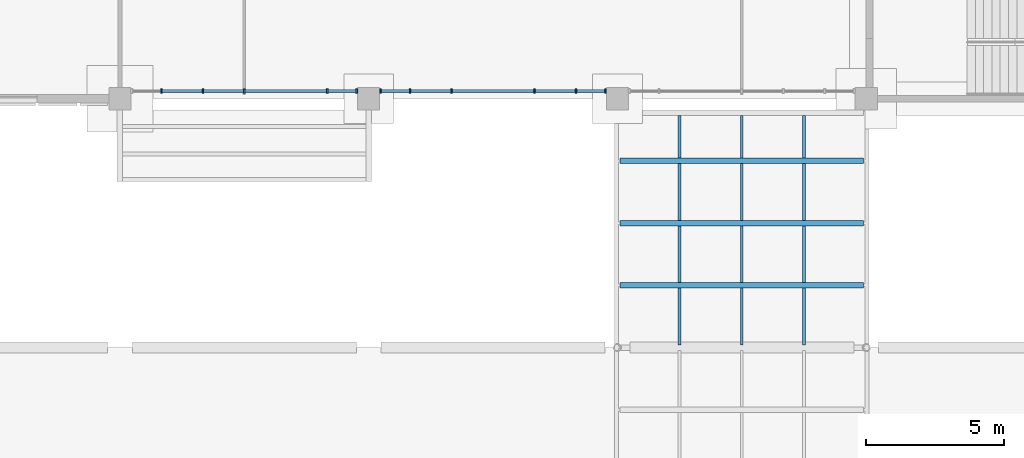
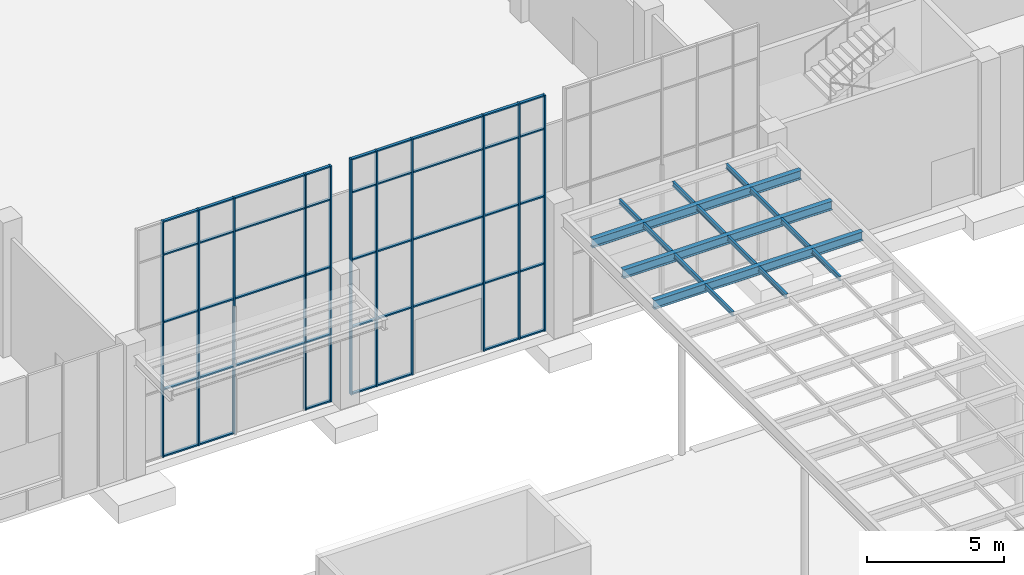
# One storey, part 32 of 86: 66 members, 3 beams, 2 elements without a shape of their own.
"""IFC4 building model written with IfcOpenShell, lengths in metres."""

from ifc_helpers import new_model, si_unit, direction, frame, origin, origin_2d, place, context, subcontext, project, spatial, rectangle, i_section, extrude, material, layer, layer_set, material_profile, profile_set, type_object, element, aggregate, save


model = new_model("IFC4")

# Units and contexts
model_context = context("Model", 3, precision=1e-05, world=origin(), true_north=direction((0.0, 1.0)))
body_context = subcontext(model_context, "Body", "Model", "MODEL_VIEW")
ifc_project = project(units=[si_unit("LENGTHUNIT", "METRE"), si_unit("AREAUNIT", "SQUARE_METRE"), si_unit("VOLUMEUNIT", "CUBIC_METRE"), si_unit("PLANEANGLEUNIT", "RADIAN"), si_unit("MASSUNIT", "GRAM", prefix="KILO")], contexts=[model_context])

# Site, building, storey
site_placement = place(None, origin())
site = spatial("IfcSite", under=ifc_project, at=site_placement, CompositionType="ELEMENT")
building_placement = place(site_placement, origin())
building = spatial("IfcBuilding", under=site, at=building_placement, Name="Guidao Yard Department Store", CompositionType="ELEMENT")
storey_placement = place(building_placement, origin())
storey = spatial("IfcBuildingStorey", under=building, at=storey_placement, Name="L00", CompositionType="ELEMENT", Elevation=0.0)

# Curtain wall, members
ifc_material_1 = material(Name="Stainless steel and glass", Category="steel")
ifc_layer = layer(ifc_material_1, 0.159912109375)
ifc_layer_set = layer_set([ifc_layer], Name="Food hall front curtain wall CW3 1500 module")
curtain_wall_type = type_object("IfcCurtainWallType", Name="Food hall front curtain wall CW3 1500 module", PredefinedType="NOTDEFINED", material=ifc_layer_set)
curtain_wall_1_placement = place(storey_placement, origin())
curtain_wall_1 = element("IfcCurtainWall", 1, at=curtain_wall_1_placement, inside=storey, type_object=curtain_wall_type, Name="Food hall front curtain wall", PredefinedType="NOTDEFINED")
ifc_material_2 = material(Name="Stainless steel 316", Category="steel")
ifc_material_profile_1 = material_profile(ifc_material_2, rectangle(XDim=0.06005859375, YDim=0.159912109375, at=origin_2d()), Name="Mullion M2 60 x 160 stainless pressure plate")
ifc_profile_set_1 = profile_set([ifc_material_profile_1], Name="Stainless steel 316")
member_type_1 = type_object("IfcMemberType", Name="Mullion M2 60 x 160 stainless pressure plate", PredefinedType="MULLION", material=ifc_profile_set_1)
member_1_placement = place(storey_placement, frame((127.5, 54.280029296875, 0.0), z_axis=(0.0, 0.0, 1.0), x_axis=(-1.0, 0.0, 0.0)))
member_1 = element("IfcMember", 2, at=member_1_placement, type_object=member_type_1, Name="CW-FH-L00-01 mullion 2", PredefinedType="MULLION", context=body_context, shape_type="SweptSolid", body=[
    extrude(rectangle(XDim=0.06005859375, YDim=0.159912109375, at=origin_2d()), origin(), (0.0, 0.0, 1.0), 10.5),
])
member_2_placement = place(storey_placement, frame((129.0, 54.280029296875, 0.0), z_axis=(0.0, 0.0, 1.0), x_axis=(-1.0, 0.0, 0.0)))
member_2 = element("IfcMember", 3, at=member_2_placement, type_object=member_type_1, Name="CW-FH-L00-01 mullion 3", PredefinedType="MULLION", context=body_context, shape_type="SweptSolid", body=[
    extrude(rectangle(XDim=0.06005859375, YDim=0.159912109375, at=origin_2d()), origin(), (0.0, 0.0, 1.0), 10.5),
])
member_3_placement = place(storey_placement, frame((130.5, 54.280029296875, 0.0), z_axis=(0.0, 0.0, 1.0), x_axis=(-1.0, 0.0, 0.0)))
member_3 = element("IfcMember", 4, at=member_3_placement, type_object=member_type_1, Name="CW-FH-L00-01 mullion 4", PredefinedType="MULLION", context=body_context, shape_type="SweptSolid", body=[
    extrude(rectangle(XDim=0.06005859375, YDim=0.159912109375, at=origin_2d()), origin(), (0.0, 0.0, 1.0), 10.5),
])
member_4_placement = place(storey_placement, frame((133.5, 54.280029296875, 0.0), z_axis=(0.0, 0.0, 1.0), x_axis=(-1.0, 0.0, 0.0)))
member_4 = element("IfcMember", 5, at=member_4_placement, type_object=member_type_1, Name="CW-FH-L00-01 mullion 5", PredefinedType="MULLION", context=body_context, shape_type="SweptSolid", body=[
    extrude(rectangle(XDim=0.06005859375, YDim=0.159912109375, at=origin_2d()), origin(), (0.0, 0.0, 1.0), 10.5),
])
member_5_placement = place(storey_placement, frame((134.570068359375, 54.280029296875, 0.0), z_axis=(0.0, 0.0, 1.0), x_axis=(-1.0, 0.0, 0.0)))
member_5 = element("IfcMember", 6, at=member_5_placement, type_object=member_type_1, Name="CW-FH-L00-01 mullion 6", PredefinedType="MULLION", context=body_context, shape_type="SweptSolid", body=[
    extrude(rectangle(XDim=0.06005859375, YDim=0.159912109375, at=origin_2d()), origin(), (0.0, 0.0, 1.0), 10.5),
])

curtain_wall_2_placement = place(storey_placement, origin())
curtain_wall_2 = element("IfcCurtainWall", 7, at=curtain_wall_2_placement, inside=storey, type_object=curtain_wall_type, Name="Food hall front curtain wall", PredefinedType="NOTDEFINED")
member_6_placement = place(storey_placement, frame((135.429931640625, 54.280029296875, 0.0), z_axis=(0.0, 0.0, 1.0), x_axis=(-1.0, 0.0, 0.0)))
member_6 = element("IfcMember", 8, at=member_6_placement, type_object=member_type_1, Name="CW-FH-L00-02 mullion 1", PredefinedType="MULLION", context=body_context, shape_type="SweptSolid", body=[
    extrude(rectangle(XDim=0.06005859375, YDim=0.159912109375, at=origin_2d()), origin(), (0.0, 0.0, 1.0), 10.5),
])
member_7_placement = place(storey_placement, frame((136.5, 54.280029296875, 0.0), z_axis=(0.0, 0.0, 1.0), x_axis=(-1.0, 0.0, 0.0)))
member_7 = element("IfcMember", 9, at=member_7_placement, type_object=member_type_1, Name="CW-FH-L00-02 mullion 2", PredefinedType="MULLION", context=body_context, shape_type="SweptSolid", body=[
    extrude(rectangle(XDim=0.06005859375, YDim=0.159912109375, at=origin_2d()), origin(), (0.0, 0.0, 1.0), 10.5),
])
member_8_placement = place(storey_placement, frame((138.0, 54.280029296875, 0.0), z_axis=(0.0, 0.0, 1.0), x_axis=(-1.0, 0.0, 0.0)))
member_8 = element("IfcMember", 10, at=member_8_placement, type_object=member_type_1, Name="CW-FH-L00-02 mullion 3", PredefinedType="MULLION", context=body_context, shape_type="SweptSolid", body=[
    extrude(rectangle(XDim=0.06005859375, YDim=0.159912109375, at=origin_2d()), origin(), (0.0, 0.0, 1.0), 10.5),
])
member_9_placement = place(storey_placement, frame((141.0, 54.280029296875, 0.0), z_axis=(0.0, 0.0, 1.0), x_axis=(-1.0, 0.0, 0.0)))
member_9 = element("IfcMember", 11, at=member_9_placement, type_object=member_type_1, Name="CW-FH-L00-02 mullion 4", PredefinedType="MULLION", context=body_context, shape_type="SweptSolid", body=[
    extrude(rectangle(XDim=0.06005859375, YDim=0.159912109375, at=origin_2d()), origin(), (0.0, 0.0, 1.0), 10.5),
])
member_10_placement = place(storey_placement, frame((142.5, 54.280029296875, 0.0), z_axis=(0.0, 0.0, 1.0), x_axis=(-1.0, 0.0, 0.0)))
member_10 = element("IfcMember", 12, at=member_10_placement, type_object=member_type_1, Name="CW-FH-L00-02 mullion 5", PredefinedType="MULLION", context=body_context, shape_type="SweptSolid", body=[
    extrude(rectangle(XDim=0.06005859375, YDim=0.159912109375, at=origin_2d()), origin(), (0.0, 0.0, 1.0), 10.5),
])
member_11_placement = place(storey_placement, frame((143.570068359375, 54.280029296875, 0.0), z_axis=(0.0, 0.0, 1.0), x_axis=(-1.0, 0.0, 0.0)))
member_11 = element("IfcMember", 13, at=member_11_placement, type_object=member_type_1, Name="CW-FH-L00-02 mullion 6", PredefinedType="MULLION", context=body_context, shape_type="SweptSolid", body=[
    extrude(rectangle(XDim=0.06005859375, YDim=0.159912109375, at=origin_2d()), origin(), (0.0, 0.0, 1.0), 10.5),
])

# Member
ifc_material_3 = material(Name="Stainless steel 316", Category="steel")
ifc_material_profile_2 = material_profile(ifc_material_3, rectangle(XDim=0.1201171875, YDim=0.06005859375, at=origin_2d()), Name="Transom T2 60 x 120 stainless pressure plate")
ifc_profile_set_2 = profile_set([ifc_material_profile_2], Name="Stainless steel 316")
member_type_2 = type_object("IfcMemberType", Name="Transom T2 60 x 120 stainless pressure plate", PredefinedType="USERDEFINED", material=ifc_profile_set_2)
member_12_placement = place(storey_placement, frame((128.969970703125, 54.280029296875, 0.030029296875), z_axis=(-1.0, 0.0, 0.0), x_axis=(0.0, -1.0, 0.0)))
member_12 = element("IfcMember", 14, at=member_12_placement, type_object=member_type_2, Name="CW-FH-L00-01 transom 2.1", ObjectType="TRANSOM", PredefinedType="USERDEFINED", context=body_context, shape_type="SweptSolid", body=[
    extrude(rectangle(XDim=0.1201171875, YDim=0.06005859375, at=origin_2d()), origin(), (0.0, 0.0, 1.0), 1.43994140625),
])

member_13_placement = place(storey_placement, frame((128.969970703125, 54.280029296875, 3.0), z_axis=(-1.0, 0.0, 0.0), x_axis=(0.0, -1.0, 0.0)))
member_13 = element("IfcMember", 15, at=member_13_placement, type_object=member_type_2, Name="CW-FH-L00-01 transom 2.2", ObjectType="TRANSOM", PredefinedType="USERDEFINED", context=body_context, shape_type="SweptSolid", body=[
    extrude(rectangle(XDim=0.1201171875, YDim=0.06005859375, at=origin_2d()), origin(), (0.0, 0.0, 1.0), 1.43994140625),
])

member_14_placement = place(storey_placement, frame((128.969970703125, 54.280029296875, 6.0), z_axis=(-1.0, 0.0, 0.0), x_axis=(0.0, -1.0, 0.0)))
member_14 = element("IfcMember", 16, at=member_14_placement, type_object=member_type_2, Name="CW-FH-L00-01 transom 2.3", ObjectType="TRANSOM", PredefinedType="USERDEFINED", context=body_context, shape_type="SweptSolid", body=[
    extrude(rectangle(XDim=0.1201171875, YDim=0.06005859375, at=origin_2d()), origin(), (0.0, 0.0, 1.0), 1.43994140625),
])

member_15_placement = place(storey_placement, frame((128.969970703125, 54.280029296875, 9.0), z_axis=(-1.0, 0.0, 0.0), x_axis=(0.0, -1.0, 0.0)))
member_15 = element("IfcMember", 17, at=member_15_placement, type_object=member_type_2, Name="CW-FH-L00-01 transom 2.4", ObjectType="TRANSOM", PredefinedType="USERDEFINED", context=body_context, shape_type="SweptSolid", body=[
    extrude(rectangle(XDim=0.1201171875, YDim=0.06005859375, at=origin_2d()), origin(), (0.0, 0.0, 1.0), 1.43994140625),
])

member_16_placement = place(storey_placement, frame((128.969970703125, 54.280029296875, 10.469970703125), z_axis=(-1.0, 0.0, 0.0), x_axis=(0.0, -1.0, 0.0)))
member_16 = element("IfcMember", 18, at=member_16_placement, type_object=member_type_2, Name="CW-FH-L00-01 transom 2.5", ObjectType="TRANSOM", PredefinedType="USERDEFINED", context=body_context, shape_type="SweptSolid", body=[
    extrude(rectangle(XDim=0.1201171875, YDim=0.06005859375, at=origin_2d()), origin(), (0.0, 0.0, 1.0), 1.43994140625),
])

member_17_placement = place(storey_placement, frame((130.469970703125, 54.280029296875, 0.030029296875), z_axis=(-1.0, 0.0, 0.0), x_axis=(0.0, -1.0, 0.0)))
member_17 = element("IfcMember", 19, at=member_17_placement, type_object=member_type_2, Name="CW-FH-L00-01 transom 3.1", ObjectType="TRANSOM", PredefinedType="USERDEFINED", context=body_context, shape_type="SweptSolid", body=[
    extrude(rectangle(XDim=0.1201171875, YDim=0.06005859375, at=origin_2d()), origin(), (0.0, 0.0, 1.0), 1.43994140625),
])

member_18_placement = place(storey_placement, frame((130.469970703125, 54.280029296875, 3.0), z_axis=(-1.0, 0.0, 0.0), x_axis=(0.0, -1.0, 0.0)))
member_18 = element("IfcMember", 20, at=member_18_placement, type_object=member_type_2, Name="CW-FH-L00-01 transom 3.2", ObjectType="TRANSOM", PredefinedType="USERDEFINED", context=body_context, shape_type="SweptSolid", body=[
    extrude(rectangle(XDim=0.1201171875, YDim=0.06005859375, at=origin_2d()), origin(), (0.0, 0.0, 1.0), 1.43994140625),
])

member_19_placement = place(storey_placement, frame((130.469970703125, 54.280029296875, 6.0), z_axis=(-1.0, 0.0, 0.0), x_axis=(0.0, -1.0, 0.0)))
member_19 = element("IfcMember", 21, at=member_19_placement, type_object=member_type_2, Name="CW-FH-L00-01 transom 3.3", ObjectType="TRANSOM", PredefinedType="USERDEFINED", context=body_context, shape_type="SweptSolid", body=[
    extrude(rectangle(XDim=0.1201171875, YDim=0.06005859375, at=origin_2d()), origin(), (0.0, 0.0, 1.0), 1.43994140625),
])

member_20_placement = place(storey_placement, frame((130.469970703125, 54.280029296875, 9.0), z_axis=(-1.0, 0.0, 0.0), x_axis=(0.0, -1.0, 0.0)))
member_20 = element("IfcMember", 22, at=member_20_placement, type_object=member_type_2, Name="CW-FH-L00-01 transom 3.4", ObjectType="TRANSOM", PredefinedType="USERDEFINED", context=body_context, shape_type="SweptSolid", body=[
    extrude(rectangle(XDim=0.1201171875, YDim=0.06005859375, at=origin_2d()), origin(), (0.0, 0.0, 1.0), 1.43994140625),
])

member_21_placement = place(storey_placement, frame((130.469970703125, 54.280029296875, 10.469970703125), z_axis=(-1.0, 0.0, 0.0), x_axis=(0.0, -1.0, 0.0)))
member_21 = element("IfcMember", 23, at=member_21_placement, type_object=member_type_2, Name="CW-FH-L00-01 transom 3.5", ObjectType="TRANSOM", PredefinedType="USERDEFINED", context=body_context, shape_type="SweptSolid", body=[
    extrude(rectangle(XDim=0.1201171875, YDim=0.06005859375, at=origin_2d()), origin(), (0.0, 0.0, 1.0), 1.43994140625),
])

member_22_placement = place(storey_placement, frame((133.469970703125, 54.280029296875, 3.0), z_axis=(-1.0, 0.0, 0.0), x_axis=(0.0, -1.0, 0.0)))
member_22 = element("IfcMember", 24, at=member_22_placement, type_object=member_type_2, Name="CW-FH-L00-01 transom 4.2", ObjectType="TRANSOM", PredefinedType="USERDEFINED", context=body_context, shape_type="SweptSolid", body=[
    extrude(rectangle(XDim=0.1201171875, YDim=0.06005859375, at=origin_2d()), origin(), (0.0, 0.0, 1.0), 2.93994140625),
])

member_23_placement = place(storey_placement, frame((133.469970703125, 54.280029296875, 6.0), z_axis=(-1.0, 0.0, 0.0), x_axis=(0.0, -1.0, 0.0)))
member_23 = element("IfcMember", 25, at=member_23_placement, type_object=member_type_2, Name="CW-FH-L00-01 transom 4.3", ObjectType="TRANSOM", PredefinedType="USERDEFINED", context=body_context, shape_type="SweptSolid", body=[
    extrude(rectangle(XDim=0.1201171875, YDim=0.06005859375, at=origin_2d()), origin(), (0.0, 0.0, 1.0), 2.93994140625),
])

member_24_placement = place(storey_placement, frame((133.469970703125, 54.280029296875, 9.0), z_axis=(-1.0, 0.0, 0.0), x_axis=(0.0, -1.0, 0.0)))
member_24 = element("IfcMember", 26, at=member_24_placement, type_object=member_type_2, Name="CW-FH-L00-01 transom 4.4", ObjectType="TRANSOM", PredefinedType="USERDEFINED", context=body_context, shape_type="SweptSolid", body=[
    extrude(rectangle(XDim=0.1201171875, YDim=0.06005859375, at=origin_2d()), origin(), (0.0, 0.0, 1.0), 2.93994140625),
])

member_25_placement = place(storey_placement, frame((133.469970703125, 54.280029296875, 10.469970703125), z_axis=(-1.0, 0.0, 0.0), x_axis=(0.0, -1.0, 0.0)))
member_25 = element("IfcMember", 27, at=member_25_placement, type_object=member_type_2, Name="CW-FH-L00-01 transom 4.5", ObjectType="TRANSOM", PredefinedType="USERDEFINED", context=body_context, shape_type="SweptSolid", body=[
    extrude(rectangle(XDim=0.1201171875, YDim=0.06005859375, at=origin_2d()), origin(), (0.0, 0.0, 1.0), 2.93994140625),
])

member_26_placement = place(storey_placement, frame((134.5400390625, 54.280029296875, 0.030029296875), z_axis=(-1.0, 0.0, 0.0), x_axis=(0.0, -1.0, 0.0)))
member_26 = element("IfcMember", 28, at=member_26_placement, type_object=member_type_2, Name="CW-FH-L00-01 transom 5.1", ObjectType="TRANSOM", PredefinedType="USERDEFINED", context=body_context, shape_type="SweptSolid", body=[
    extrude(rectangle(XDim=0.1201171875, YDim=0.06005859375, at=origin_2d()), origin(), (0.0, 0.0, 1.0), 1.010009765625),
])

member_27_placement = place(storey_placement, frame((134.5400390625, 54.280029296875, 3.0), z_axis=(-1.0, 0.0, 0.0), x_axis=(0.0, -1.0, 0.0)))
member_27 = element("IfcMember", 29, at=member_27_placement, type_object=member_type_2, Name="CW-FH-L00-01 transom 5.2", ObjectType="TRANSOM", PredefinedType="USERDEFINED", context=body_context, shape_type="SweptSolid", body=[
    extrude(rectangle(XDim=0.1201171875, YDim=0.06005859375, at=origin_2d()), origin(), (0.0, 0.0, 1.0), 1.010009765625),
])

member_28_placement = place(storey_placement, frame((134.5400390625, 54.280029296875, 6.0), z_axis=(-1.0, 0.0, 0.0), x_axis=(0.0, -1.0, 0.0)))
member_28 = element("IfcMember", 30, at=member_28_placement, type_object=member_type_2, Name="CW-FH-L00-01 transom 5.3", ObjectType="TRANSOM", PredefinedType="USERDEFINED", context=body_context, shape_type="SweptSolid", body=[
    extrude(rectangle(XDim=0.1201171875, YDim=0.06005859375, at=origin_2d()), origin(), (0.0, 0.0, 1.0), 1.010009765625),
])

member_29_placement = place(storey_placement, frame((134.5400390625, 54.280029296875, 9.0), z_axis=(-1.0, 0.0, 0.0), x_axis=(0.0, -1.0, 0.0)))
member_29 = element("IfcMember", 31, at=member_29_placement, type_object=member_type_2, Name="CW-FH-L00-01 transom 5.4", ObjectType="TRANSOM", PredefinedType="USERDEFINED", context=body_context, shape_type="SweptSolid", body=[
    extrude(rectangle(XDim=0.1201171875, YDim=0.06005859375, at=origin_2d()), origin(), (0.0, 0.0, 1.0), 1.010009765625),
])

member_30_placement = place(storey_placement, frame((134.5400390625, 54.280029296875, 10.469970703125), z_axis=(-1.0, 0.0, 0.0), x_axis=(0.0, -1.0, 0.0)))
member_30 = element("IfcMember", 32, at=member_30_placement, type_object=member_type_2, Name="CW-FH-L00-01 transom 5.5", ObjectType="TRANSOM", PredefinedType="USERDEFINED", context=body_context, shape_type="SweptSolid", body=[
    extrude(rectangle(XDim=0.1201171875, YDim=0.06005859375, at=origin_2d()), origin(), (0.0, 0.0, 1.0), 1.010009765625),
])

aggregate(curtain_wall_1, [member_1, member_2, member_3, member_4, member_5, member_12, member_13, member_14, member_15, member_16, member_17, member_18, member_19, member_20, member_21, member_22, member_23, member_24, member_25, member_26, member_27, member_28, member_29, member_30])

member_31_placement = place(storey_placement, frame((136.469970703125, 54.280029296875, 0.030029296875), z_axis=(-1.0, 0.0, 0.0), x_axis=(0.0, -1.0, 0.0)))
member_31 = element("IfcMember", 33, at=member_31_placement, type_object=member_type_2, Name="CW-FH-L00-02 transom 1.1", ObjectType="TRANSOM", PredefinedType="USERDEFINED", context=body_context, shape_type="SweptSolid", body=[
    extrude(rectangle(XDim=0.1201171875, YDim=0.06005859375, at=origin_2d()), origin(), (0.0, 0.0, 1.0), 1.010009765625),
])

member_32_placement = place(storey_placement, frame((136.469970703125, 54.280029296875, 3.0), z_axis=(-1.0, 0.0, 0.0), x_axis=(0.0, -1.0, 0.0)))
member_32 = element("IfcMember", 34, at=member_32_placement, type_object=member_type_2, Name="CW-FH-L00-02 transom 1.2", ObjectType="TRANSOM", PredefinedType="USERDEFINED", context=body_context, shape_type="SweptSolid", body=[
    extrude(rectangle(XDim=0.1201171875, YDim=0.06005859375, at=origin_2d()), origin(), (0.0, 0.0, 1.0), 1.010009765625),
])

member_33_placement = place(storey_placement, frame((136.469970703125, 54.280029296875, 6.0), z_axis=(-1.0, 0.0, 0.0), x_axis=(0.0, -1.0, 0.0)))
member_33 = element("IfcMember", 35, at=member_33_placement, type_object=member_type_2, Name="CW-FH-L00-02 transom 1.3", ObjectType="TRANSOM", PredefinedType="USERDEFINED", context=body_context, shape_type="SweptSolid", body=[
    extrude(rectangle(XDim=0.1201171875, YDim=0.06005859375, at=origin_2d()), origin(), (0.0, 0.0, 1.0), 1.010009765625),
])

member_34_placement = place(storey_placement, frame((136.469970703125, 54.280029296875, 9.0), z_axis=(-1.0, 0.0, 0.0), x_axis=(0.0, -1.0, 0.0)))
member_34 = element("IfcMember", 36, at=member_34_placement, type_object=member_type_2, Name="CW-FH-L00-02 transom 1.4", ObjectType="TRANSOM", PredefinedType="USERDEFINED", context=body_context, shape_type="SweptSolid", body=[
    extrude(rectangle(XDim=0.1201171875, YDim=0.06005859375, at=origin_2d()), origin(), (0.0, 0.0, 1.0), 1.010009765625),
])

member_35_placement = place(storey_placement, frame((136.469970703125, 54.280029296875, 10.469970703125), z_axis=(-1.0, 0.0, 0.0), x_axis=(0.0, -1.0, 0.0)))
member_35 = element("IfcMember", 37, at=member_35_placement, type_object=member_type_2, Name="CW-FH-L00-02 transom 1.5", ObjectType="TRANSOM", PredefinedType="USERDEFINED", context=body_context, shape_type="SweptSolid", body=[
    extrude(rectangle(XDim=0.1201171875, YDim=0.06005859375, at=origin_2d()), origin(), (0.0, 0.0, 1.0), 1.010009765625),
])

member_36_placement = place(storey_placement, frame((137.969970703125, 54.280029296875, 0.030029296875), z_axis=(-1.0, 0.0, 0.0), x_axis=(0.0, -1.0, 0.0)))
member_36 = element("IfcMember", 38, at=member_36_placement, type_object=member_type_2, Name="CW-FH-L00-02 transom 2.1", ObjectType="TRANSOM", PredefinedType="USERDEFINED", context=body_context, shape_type="SweptSolid", body=[
    extrude(rectangle(XDim=0.1201171875, YDim=0.06005859375, at=origin_2d()), origin(), (0.0, 0.0, 1.0), 1.43994140625),
])

member_37_placement = place(storey_placement, frame((137.969970703125, 54.280029296875, 3.0), z_axis=(-1.0, 0.0, 0.0), x_axis=(0.0, -1.0, 0.0)))
member_37 = element("IfcMember", 39, at=member_37_placement, type_object=member_type_2, Name="CW-FH-L00-02 transom 2.2", ObjectType="TRANSOM", PredefinedType="USERDEFINED", context=body_context, shape_type="SweptSolid", body=[
    extrude(rectangle(XDim=0.1201171875, YDim=0.06005859375, at=origin_2d()), origin(), (0.0, 0.0, 1.0), 1.43994140625),
])

member_38_placement = place(storey_placement, frame((137.969970703125, 54.280029296875, 6.0), z_axis=(-1.0, 0.0, 0.0), x_axis=(0.0, -1.0, 0.0)))
member_38 = element("IfcMember", 40, at=member_38_placement, type_object=member_type_2, Name="CW-FH-L00-02 transom 2.3", ObjectType="TRANSOM", PredefinedType="USERDEFINED", context=body_context, shape_type="SweptSolid", body=[
    extrude(rectangle(XDim=0.1201171875, YDim=0.06005859375, at=origin_2d()), origin(), (0.0, 0.0, 1.0), 1.43994140625),
])

member_39_placement = place(storey_placement, frame((137.969970703125, 54.280029296875, 9.0), z_axis=(-1.0, 0.0, 0.0), x_axis=(0.0, -1.0, 0.0)))
member_39 = element("IfcMember", 41, at=member_39_placement, type_object=member_type_2, Name="CW-FH-L00-02 transom 2.4", ObjectType="TRANSOM", PredefinedType="USERDEFINED", context=body_context, shape_type="SweptSolid", body=[
    extrude(rectangle(XDim=0.1201171875, YDim=0.06005859375, at=origin_2d()), origin(), (0.0, 0.0, 1.0), 1.43994140625),
])

member_40_placement = place(storey_placement, frame((137.969970703125, 54.280029296875, 10.469970703125), z_axis=(-1.0, 0.0, 0.0), x_axis=(0.0, -1.0, 0.0)))
member_40 = element("IfcMember", 42, at=member_40_placement, type_object=member_type_2, Name="CW-FH-L00-02 transom 2.5", ObjectType="TRANSOM", PredefinedType="USERDEFINED", context=body_context, shape_type="SweptSolid", body=[
    extrude(rectangle(XDim=0.1201171875, YDim=0.06005859375, at=origin_2d()), origin(), (0.0, 0.0, 1.0), 1.43994140625),
])

member_41_placement = place(storey_placement, frame((140.969970703125, 54.280029296875, 3.0), z_axis=(-1.0, 0.0, 0.0), x_axis=(0.0, -1.0, 0.0)))
member_41 = element("IfcMember", 43, at=member_41_placement, type_object=member_type_2, Name="CW-FH-L00-02 transom 3.2", ObjectType="TRANSOM", PredefinedType="USERDEFINED", context=body_context, shape_type="SweptSolid", body=[
    extrude(rectangle(XDim=0.1201171875, YDim=0.06005859375, at=origin_2d()), origin(), (0.0, 0.0, 1.0), 2.93994140625),
])

member_42_placement = place(storey_placement, frame((140.969970703125, 54.280029296875, 6.0), z_axis=(-1.0, 0.0, 0.0), x_axis=(0.0, -1.0, 0.0)))
member_42 = element("IfcMember", 44, at=member_42_placement, type_object=member_type_2, Name="CW-FH-L00-02 transom 3.3", ObjectType="TRANSOM", PredefinedType="USERDEFINED", context=body_context, shape_type="SweptSolid", body=[
    extrude(rectangle(XDim=0.1201171875, YDim=0.06005859375, at=origin_2d()), origin(), (0.0, 0.0, 1.0), 2.93994140625),
])

member_43_placement = place(storey_placement, frame((140.969970703125, 54.280029296875, 9.0), z_axis=(-1.0, 0.0, 0.0), x_axis=(0.0, -1.0, 0.0)))
member_43 = element("IfcMember", 45, at=member_43_placement, type_object=member_type_2, Name="CW-FH-L00-02 transom 3.4", ObjectType="TRANSOM", PredefinedType="USERDEFINED", context=body_context, shape_type="SweptSolid", body=[
    extrude(rectangle(XDim=0.1201171875, YDim=0.06005859375, at=origin_2d()), origin(), (0.0, 0.0, 1.0), 2.93994140625),
])

member_44_placement = place(storey_placement, frame((140.969970703125, 54.280029296875, 10.469970703125), z_axis=(-1.0, 0.0, 0.0), x_axis=(0.0, -1.0, 0.0)))
member_44 = element("IfcMember", 46, at=member_44_placement, type_object=member_type_2, Name="CW-FH-L00-02 transom 3.5", ObjectType="TRANSOM", PredefinedType="USERDEFINED", context=body_context, shape_type="SweptSolid", body=[
    extrude(rectangle(XDim=0.1201171875, YDim=0.06005859375, at=origin_2d()), origin(), (0.0, 0.0, 1.0), 2.93994140625),
])

member_45_placement = place(storey_placement, frame((142.469970703125, 54.280029296875, 0.030029296875), z_axis=(-1.0, 0.0, 0.0), x_axis=(0.0, -1.0, 0.0)))
member_45 = element("IfcMember", 47, at=member_45_placement, type_object=member_type_2, Name="CW-FH-L00-02 transom 4.1", ObjectType="TRANSOM", PredefinedType="USERDEFINED", context=body_context, shape_type="SweptSolid", body=[
    extrude(rectangle(XDim=0.1201171875, YDim=0.06005859375, at=origin_2d()), origin(), (0.0, 0.0, 1.0), 1.43994140625),
])

member_46_placement = place(storey_placement, frame((142.469970703125, 54.280029296875, 3.0), z_axis=(-1.0, 0.0, 0.0), x_axis=(0.0, -1.0, 0.0)))
member_46 = element("IfcMember", 48, at=member_46_placement, type_object=member_type_2, Name="CW-FH-L00-02 transom 4.2", ObjectType="TRANSOM", PredefinedType="USERDEFINED", context=body_context, shape_type="SweptSolid", body=[
    extrude(rectangle(XDim=0.1201171875, YDim=0.06005859375, at=origin_2d()), origin(), (0.0, 0.0, 1.0), 1.43994140625),
])

member_47_placement = place(storey_placement, frame((142.469970703125, 54.280029296875, 6.0), z_axis=(-1.0, 0.0, 0.0), x_axis=(0.0, -1.0, 0.0)))
member_47 = element("IfcMember", 49, at=member_47_placement, type_object=member_type_2, Name="CW-FH-L00-02 transom 4.3", ObjectType="TRANSOM", PredefinedType="USERDEFINED", context=body_context, shape_type="SweptSolid", body=[
    extrude(rectangle(XDim=0.1201171875, YDim=0.06005859375, at=origin_2d()), origin(), (0.0, 0.0, 1.0), 1.43994140625),
])

member_48_placement = place(storey_placement, frame((142.469970703125, 54.280029296875, 9.0), z_axis=(-1.0, 0.0, 0.0), x_axis=(0.0, -1.0, 0.0)))
member_48 = element("IfcMember", 50, at=member_48_placement, type_object=member_type_2, Name="CW-FH-L00-02 transom 4.4", ObjectType="TRANSOM", PredefinedType="USERDEFINED", context=body_context, shape_type="SweptSolid", body=[
    extrude(rectangle(XDim=0.1201171875, YDim=0.06005859375, at=origin_2d()), origin(), (0.0, 0.0, 1.0), 1.43994140625),
])

member_49_placement = place(storey_placement, frame((142.469970703125, 54.280029296875, 10.469970703125), z_axis=(-1.0, 0.0, 0.0), x_axis=(0.0, -1.0, 0.0)))
member_49 = element("IfcMember", 51, at=member_49_placement, type_object=member_type_2, Name="CW-FH-L00-02 transom 4.5", ObjectType="TRANSOM", PredefinedType="USERDEFINED", context=body_context, shape_type="SweptSolid", body=[
    extrude(rectangle(XDim=0.1201171875, YDim=0.06005859375, at=origin_2d()), origin(), (0.0, 0.0, 1.0), 1.43994140625),
])

member_50_placement = place(storey_placement, frame((143.5400390625, 54.280029296875, 0.030029296875), z_axis=(-1.0, 0.0, 0.0), x_axis=(0.0, -1.0, 0.0)))
member_50 = element("IfcMember", 52, at=member_50_placement, type_object=member_type_2, Name="CW-FH-L00-02 transom 5.1", ObjectType="TRANSOM", PredefinedType="USERDEFINED", context=body_context, shape_type="SweptSolid", body=[
    extrude(rectangle(XDim=0.1201171875, YDim=0.06005859375, at=origin_2d()), origin(), (0.0, 0.0, 1.0), 1.010009765625),
])

member_51_placement = place(storey_placement, frame((143.5400390625, 54.280029296875, 3.0), z_axis=(-1.0, 0.0, 0.0), x_axis=(0.0, -1.0, 0.0)))
member_51 = element("IfcMember", 53, at=member_51_placement, type_object=member_type_2, Name="CW-FH-L00-02 transom 5.2", ObjectType="TRANSOM", PredefinedType="USERDEFINED", context=body_context, shape_type="SweptSolid", body=[
    extrude(rectangle(XDim=0.1201171875, YDim=0.06005859375, at=origin_2d()), origin(), (0.0, 0.0, 1.0), 1.010009765625),
])

member_52_placement = place(storey_placement, frame((143.5400390625, 54.280029296875, 6.0), z_axis=(-1.0, 0.0, 0.0), x_axis=(0.0, -1.0, 0.0)))
member_52 = element("IfcMember", 54, at=member_52_placement, type_object=member_type_2, Name="CW-FH-L00-02 transom 5.3", ObjectType="TRANSOM", PredefinedType="USERDEFINED", context=body_context, shape_type="SweptSolid", body=[
    extrude(rectangle(XDim=0.1201171875, YDim=0.06005859375, at=origin_2d()), origin(), (0.0, 0.0, 1.0), 1.010009765625),
])

member_53_placement = place(storey_placement, frame((143.5400390625, 54.280029296875, 9.0), z_axis=(-1.0, 0.0, 0.0), x_axis=(0.0, -1.0, 0.0)))
member_53 = element("IfcMember", 55, at=member_53_placement, type_object=member_type_2, Name="CW-FH-L00-02 transom 5.4", ObjectType="TRANSOM", PredefinedType="USERDEFINED", context=body_context, shape_type="SweptSolid", body=[
    extrude(rectangle(XDim=0.1201171875, YDim=0.06005859375, at=origin_2d()), origin(), (0.0, 0.0, 1.0), 1.010009765625),
])

member_54_placement = place(storey_placement, frame((143.5400390625, 54.280029296875, 10.469970703125), z_axis=(-1.0, 0.0, 0.0), x_axis=(0.0, -1.0, 0.0)))
member_54 = element("IfcMember", 56, at=member_54_placement, type_object=member_type_2, Name="CW-FH-L00-02 transom 5.5", ObjectType="TRANSOM", PredefinedType="USERDEFINED", context=body_context, shape_type="SweptSolid", body=[
    extrude(rectangle(XDim=0.1201171875, YDim=0.06005859375, at=origin_2d()), origin(), (0.0, 0.0, 1.0), 1.010009765625),
])

aggregate(curtain_wall_2, [member_6, member_7, member_8, member_9, member_10, member_11, member_31, member_32, member_33, member_34, member_35, member_36, member_37, member_38, member_39, member_40, member_41, member_42, member_43, member_44, member_45, member_46, member_47, member_48, member_49, member_50, member_51, member_52, member_53, member_54])

# Beams
ifc_material_4 = material(Name="Steel Q355B", Category="steel")
ifc_material_profile_3 = material_profile(ifc_material_4, i_section(OverallWidth=0.199951171875, OverallDepth=0.39990234375, WebThickness=0.008056640625, FlangeThickness=0.012939453125, FilletRadius=0.012939453125, at=origin_2d()), Name="HN 400x200x8x13")
ifc_profile_set_3 = profile_set([ifc_material_profile_3], Name="Steel Q355B")
beam_type = type_object("IfcBeamType", Name="Walkway beam HN 400x200x8x13", PredefinedType="BEAM", material=ifc_profile_set_3)
for number, where, z_axis, x_axis, name in (
    (57, (144.10009765625, 47.25, 5.25), (1.0, 0.0, 0.0), (0.0, 1.0, 0.0), "Walkway beam 10"),
    (58, (144.10009765625, 49.5, 5.25), (1.0, 0.0, 0.0), (0.0, 1.0, 0.0), "Walkway beam 11"),
    (59, (144.10009765625, 51.75, 5.25), (1.0, 0.0, 0.0), (0.0, 1.0, 0.0), "Walkway beam 12"),
):
    element("IfcBeam", number, at=place(storey_placement, frame(where, z_axis=z_axis, x_axis=x_axis)), inside=storey, type_object=beam_type, Name=name, PredefinedType="BEAM", context=body_context, shape_type="SweptSolid", body=[
        extrude(i_section(OverallWidth=0.199951171875, OverallDepth=0.39990234375, WebThickness=0.008056640625, FlangeThickness=0.012939453125, FilletRadius=0.012939453125, at=origin_2d()), origin(), (0.0, 0.0, 1.0), 8.7998046875),
    ])

# Members
ifc_material_5 = material(Name="Steel Q355B", Category="steel")
ifc_material_profile_4 = material_profile(ifc_material_5, i_section(OverallWidth=0.10009765625, OverallDepth=0.199951171875, WebThickness=0.005615234375, FlangeThickness=0.008056640625, FilletRadius=0.008056640625, at=origin_2d()), Name="HN 200x100x5.5x8")
ifc_profile_set_4 = profile_set([ifc_material_profile_4], Name="Steel Q355B")
member_type_3 = type_object("IfcMemberType", Name="Walkway purlin HN 200x100x5.5x8", PredefinedType="PURLIN", material=ifc_profile_set_4)
for number, where, z_axis, x_axis, name in (
    (60, (146.25, 45.10009765625, 5.35009765625), (0.0, 1.0, 0.0), (-1.0, 0.0, 0.0), "Walkway purlin 1-9"),
    (61, (146.25, 47.35009765625, 5.35009765625), (0.0, 1.0, 0.0), (-1.0, 0.0, 0.0), "Walkway purlin 1-10"),
    (62, (146.25, 49.60009765625, 5.35009765625), (0.0, 1.0, 0.0), (-1.0, 0.0, 0.0), "Walkway purlin 1-11"),
):
    element("IfcMember", number, at=place(storey_placement, frame(where, z_axis=z_axis, x_axis=x_axis)), inside=storey, type_object=member_type_3, Name=name, PredefinedType="PURLIN", context=body_context, shape_type="SweptSolid", body=[
        extrude(i_section(OverallWidth=0.10009765625, OverallDepth=0.199951171875, WebThickness=0.005615234375, FlangeThickness=0.008056640625, FilletRadius=0.008056640625, at=origin_2d()), origin(), (0.0, 0.0, 1.0), 2.0498046875),
    ])
member_55_placement = place(storey_placement, frame((146.25, 51.85009765625, 5.35009765625), z_axis=(0.0, 1.0, 0.0), x_axis=(-1.0, 0.0, 0.0)))
element("IfcMember", 63, at=member_55_placement, inside=storey, type_object=member_type_3, Name="Walkway purlin 1-12", PredefinedType="PURLIN", context=body_context, shape_type="SweptSolid", body=[
    extrude(i_section(OverallWidth=0.10009765625, OverallDepth=0.199951171875, WebThickness=0.005615234375, FlangeThickness=0.008056640625, FilletRadius=0.008056640625, at=origin_2d()), origin(), (0.0, 0.0, 1.0), 1.5498046875),
])
for number, where, z_axis, x_axis, name in (
    (64, (148.5, 45.10009765625, 5.35009765625), (0.0, 1.0, 0.0), (-1.0, 0.0, 0.0), "Walkway purlin 2-9"),
    (65, (148.5, 47.35009765625, 5.35009765625), (0.0, 1.0, 0.0), (-1.0, 0.0, 0.0), "Walkway purlin 2-10"),
    (66, (148.5, 49.60009765625, 5.35009765625), (0.0, 1.0, 0.0), (-1.0, 0.0, 0.0), "Walkway purlin 2-11"),
):
    element("IfcMember", number, at=place(storey_placement, frame(where, z_axis=z_axis, x_axis=x_axis)), inside=storey, type_object=member_type_3, Name=name, PredefinedType="PURLIN", context=body_context, shape_type="SweptSolid", body=[
        extrude(i_section(OverallWidth=0.10009765625, OverallDepth=0.199951171875, WebThickness=0.005615234375, FlangeThickness=0.008056640625, FilletRadius=0.008056640625, at=origin_2d()), origin(), (0.0, 0.0, 1.0), 2.0498046875),
    ])
member_56_placement = place(storey_placement, frame((148.5, 51.85009765625, 5.35009765625), z_axis=(0.0, 1.0, 0.0), x_axis=(-1.0, 0.0, 0.0)))
element("IfcMember", 67, at=member_56_placement, inside=storey, type_object=member_type_3, Name="Walkway purlin 2-12", PredefinedType="PURLIN", context=body_context, shape_type="SweptSolid", body=[
    extrude(i_section(OverallWidth=0.10009765625, OverallDepth=0.199951171875, WebThickness=0.005615234375, FlangeThickness=0.008056640625, FilletRadius=0.008056640625, at=origin_2d()), origin(), (0.0, 0.0, 1.0), 1.5498046875),
])
for number, where, z_axis, x_axis, name in (
    (68, (150.75, 45.10009765625, 5.35009765625), (0.0, 1.0, 0.0), (-1.0, 0.0, 0.0), "Walkway purlin 3-9"),
    (69, (150.75, 47.35009765625, 5.35009765625), (0.0, 1.0, 0.0), (-1.0, 0.0, 0.0), "Walkway purlin 3-10"),
    (70, (150.75, 49.60009765625, 5.35009765625), (0.0, 1.0, 0.0), (-1.0, 0.0, 0.0), "Walkway purlin 3-11"),
):
    element("IfcMember", number, at=place(storey_placement, frame(where, z_axis=z_axis, x_axis=x_axis)), inside=storey, type_object=member_type_3, Name=name, PredefinedType="PURLIN", context=body_context, shape_type="SweptSolid", body=[
        extrude(i_section(OverallWidth=0.10009765625, OverallDepth=0.199951171875, WebThickness=0.005615234375, FlangeThickness=0.008056640625, FilletRadius=0.008056640625, at=origin_2d()), origin(), (0.0, 0.0, 1.0), 2.0498046875),
    ])
member_57_placement = place(storey_placement, frame((150.75, 51.85009765625, 5.35009765625), z_axis=(0.0, 1.0, 0.0), x_axis=(-1.0, 0.0, 0.0)))
element("IfcMember", 71, at=member_57_placement, inside=storey, type_object=member_type_3, Name="Walkway purlin 3-12", PredefinedType="PURLIN", context=body_context, shape_type="SweptSolid", body=[
    extrude(i_section(OverallWidth=0.10009765625, OverallDepth=0.199951171875, WebThickness=0.005615234375, FlangeThickness=0.008056640625, FilletRadius=0.008056640625, at=origin_2d()), origin(), (0.0, 0.0, 1.0), 1.5498046875),
])

save(model, "model.ifc")
